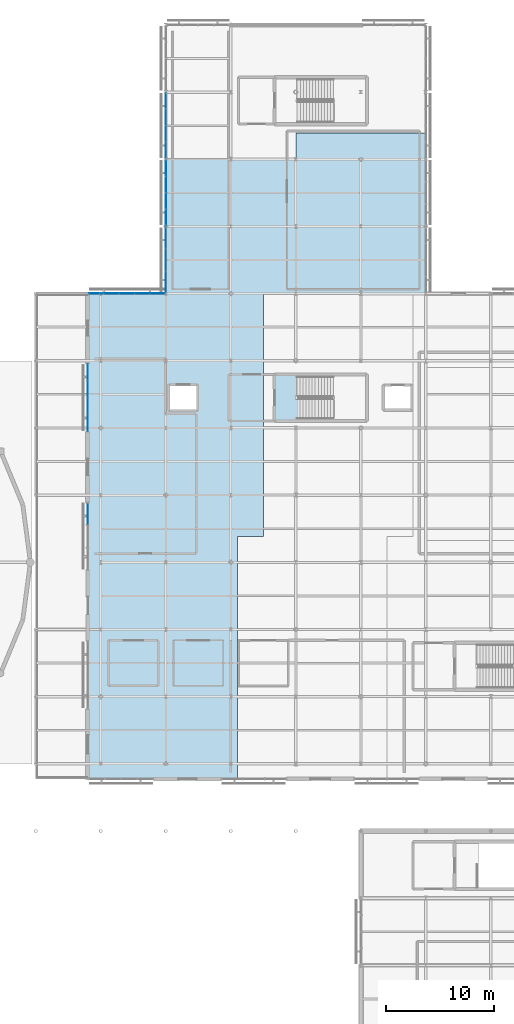
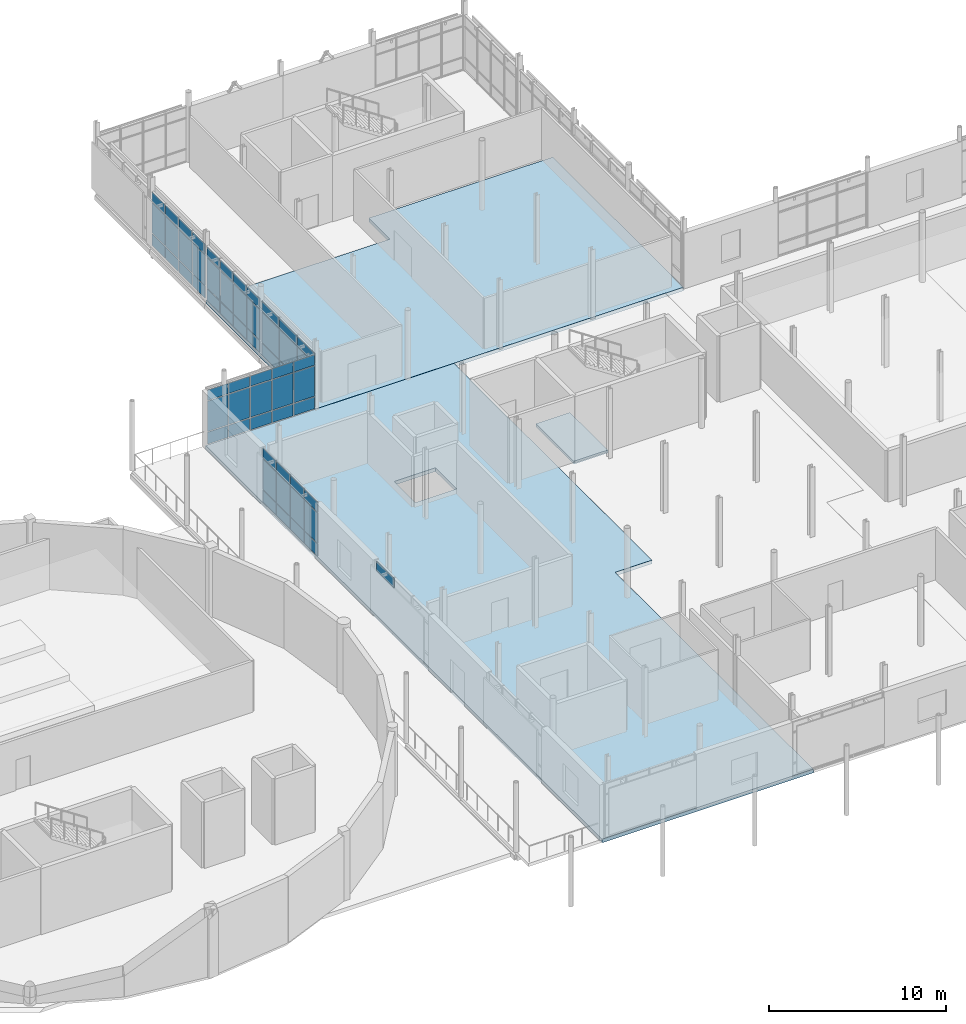
# One storey, part 52 of 84: 61 plates, 3 slabs, 6 elements without a shape of their own.
"""IFC4 building model written with IfcOpenShell, lengths in metres."""

from ifc_helpers import new_model, si_unit, direction, frame, origin, origin_2d, place, context, subcontext, project, spatial, polyline, rectangle, outline, extrude, material, layer, layer_set, type_object, element, aggregate, save


model = new_model("IFC4")

# Units and contexts
model_context = context("Model", 3, precision=1e-05, world=origin(), true_north=direction((0.0, 1.0)))
body_context = subcontext(model_context, "Body", "Model", "MODEL_VIEW")
ifc_project = project(units=[si_unit("LENGTHUNIT", "METRE"), si_unit("AREAUNIT", "SQUARE_METRE"), si_unit("VOLUMEUNIT", "CUBIC_METRE"), si_unit("PLANEANGLEUNIT", "RADIAN"), si_unit("MASSUNIT", "GRAM", prefix="KILO")], contexts=[model_context])

# Site, building, storey
site_placement = place(None, origin())
site = spatial("IfcSite", under=ifc_project, at=site_placement, CompositionType="ELEMENT")
building_placement = place(site_placement, origin())
building = spatial("IfcBuilding", under=site, at=building_placement, Name="Mirzam Square Science Centre", CompositionType="ELEMENT")
storey_placement = place(building_placement, frame((0.0, 0.0, 10.800048828125)))
storey = spatial("IfcBuildingStorey", under=building, at=storey_placement, Name="L02", CompositionType="ELEMENT", Elevation=10.800048828125)

# Curtain wall, plates
ifc_material_1 = material(Name="Anodised Aluminium and Low-E Solar Glass", Category="aluminium")
ifc_layer_1 = layer(ifc_material_1, 0.159912109375)
ifc_layer_set_1 = layer_set([ifc_layer_1], Name="CW-COURT-B")
curtain_wall_type_1 = type_object("IfcCurtainWallType", Name="CW-COURT-B", PredefinedType="USERDEFINED", material=ifc_layer_set_1)
curtain_wall_1_placement = place(storey_placement, origin())
curtain_wall_1 = element("IfcCurtainWall", 1, at=curtain_wall_1_placement, inside=storey, type_object=curtain_wall_type_1, Name="L02 unitised curtain wall 109", ObjectType="UNITISED CURTAIN WALL", PredefinedType="USERDEFINED")
ifc_material_2 = material(Name="Ceramic-Fritted Courtyard Solar Glass", Category="glass")
ifc_layer_2 = layer(ifc_material_2, 0.02392578125)
ifc_layer_set_2 = layer_set([ifc_layer_2], Name="CWP-GLZ-24")
plate_type_1 = type_object("IfcPlateType", Name="CWP-GLZ-24", PredefinedType="CURTAIN_PANEL", material=ifc_layer_set_2)
plate_1_placement = place(storey_placement, frame((113.220947265625, 86.800048828125, 0.059814453125), z_axis=(0.0, 0.0, 1.0), x_axis=(-1.0, 0.0, 0.0)))
plate_1 = element("IfcPlate", 2, at=plate_1_placement, type_object=plate_type_1, Name="CW-04 panel 1.1", PredefinedType="CURTAIN_PANEL", context=body_context, shape_type="SweptSolid", body=[
    extrude(rectangle(XDim=1.327880859375, YDim=0.02392578125, at=origin_2d()), origin(), (0.0, 0.0, 1.0), 0.81005859375),
])
plate_2_placement = place(storey_placement, frame((113.220947265625, 86.800048828125, 0.929931640625), z_axis=(0.0, 0.0, 1.0), x_axis=(-1.0, 0.0, 0.0)))
plate_2 = element("IfcPlate", 3, at=plate_2_placement, type_object=plate_type_1, Name="CW-04 panel 1.2", PredefinedType="CURTAIN_PANEL", context=body_context, shape_type="SweptSolid", body=[
    extrude(rectangle(XDim=1.327880859375, YDim=0.02392578125, at=origin_2d()), origin(), (0.0, 0.0, 1.0), 2.080078125),
])
plate_3_placement = place(storey_placement, frame((113.220947265625, 86.800048828125, 3.070068359375), z_axis=(0.0, 0.0, 1.0), x_axis=(-1.0, 0.0, 0.0)))
plate_3 = element("IfcPlate", 4, at=plate_3_placement, type_object=plate_type_1, Name="CW-04 panel 1.3", PredefinedType="CURTAIN_PANEL", context=body_context, shape_type="SweptSolid", body=[
    extrude(rectangle(XDim=1.327880859375, YDim=0.02392578125, at=origin_2d()), origin(), (0.0, 0.0, 1.0), 0.7099609375),
])
plate_4_placement = place(storey_placement, frame((111.818115234375, 86.800048828125, 0.059814453125), z_axis=(0.0, 0.0, 1.0), x_axis=(-1.0, 0.0, 0.0)))
plate_4 = element("IfcPlate", 5, at=plate_4_placement, type_object=plate_type_1, Name="CW-04 panel 2.1", PredefinedType="CURTAIN_PANEL", context=body_context, shape_type="SweptSolid", body=[
    extrude(rectangle(XDim=1.35791015625, YDim=0.02392578125, at=origin_2d()), origin(), (0.0, 0.0, 1.0), 0.81005859375),
])
plate_5_placement = place(storey_placement, frame((111.818115234375, 86.800048828125, 0.929931640625), z_axis=(0.0, 0.0, 1.0), x_axis=(-1.0, 0.0, 0.0)))
plate_5 = element("IfcPlate", 6, at=plate_5_placement, type_object=plate_type_1, Name="CW-04 panel 2.2", PredefinedType="CURTAIN_PANEL", context=body_context, shape_type="SweptSolid", body=[
    extrude(rectangle(XDim=1.35791015625, YDim=0.02392578125, at=origin_2d()), origin(), (0.0, 0.0, 1.0), 2.080078125),
])
plate_6_placement = place(storey_placement, frame((111.818115234375, 86.800048828125, 3.070068359375), z_axis=(0.0, 0.0, 1.0), x_axis=(-1.0, 0.0, 0.0)))
plate_6 = element("IfcPlate", 7, at=plate_6_placement, type_object=plate_type_1, Name="CW-04 panel 2.3", PredefinedType="CURTAIN_PANEL", context=body_context, shape_type="SweptSolid", body=[
    extrude(rectangle(XDim=1.35791015625, YDim=0.02392578125, at=origin_2d()), origin(), (0.0, 0.0, 1.0), 0.7099609375),
])
plate_7_placement = place(storey_placement, frame((110.39990234375, 86.800048828125, 0.059814453125), z_axis=(0.0, 0.0, 1.0), x_axis=(-1.0, 0.0, 0.0)))
plate_7 = element("IfcPlate", 8, at=plate_7_placement, type_object=plate_type_1, Name="CW-04 panel 3.1", PredefinedType="CURTAIN_PANEL", context=body_context, shape_type="SweptSolid", body=[
    extrude(rectangle(XDim=1.35791015625, YDim=0.02392578125, at=origin_2d()), origin(), (0.0, 0.0, 1.0), 0.81005859375),
])
plate_8_placement = place(storey_placement, frame((110.39990234375, 86.800048828125, 0.929931640625), z_axis=(0.0, 0.0, 1.0), x_axis=(-1.0, 0.0, 0.0)))
plate_8 = element("IfcPlate", 9, at=plate_8_placement, type_object=plate_type_1, Name="CW-04 panel 3.2", PredefinedType="CURTAIN_PANEL", context=body_context, shape_type="SweptSolid", body=[
    extrude(rectangle(XDim=1.35791015625, YDim=0.02392578125, at=origin_2d()), origin(), (0.0, 0.0, 1.0), 2.080078125),
])
plate_9_placement = place(storey_placement, frame((110.39990234375, 86.800048828125, 3.070068359375), z_axis=(0.0, 0.0, 1.0), x_axis=(-1.0, 0.0, 0.0)))
plate_9 = element("IfcPlate", 10, at=plate_9_placement, type_object=plate_type_1, Name="CW-04 panel 3.3", PredefinedType="CURTAIN_PANEL", context=body_context, shape_type="SweptSolid", body=[
    extrude(rectangle(XDim=1.35791015625, YDim=0.02392578125, at=origin_2d()), origin(), (0.0, 0.0, 1.0), 0.7099609375),
])
plate_10_placement = place(storey_placement, frame((108.98193359375, 86.800048828125, 0.059814453125), z_axis=(0.0, 0.0, 1.0), x_axis=(-1.0, 0.0, 0.0)))
plate_10 = element("IfcPlate", 11, at=plate_10_placement, type_object=plate_type_1, Name="CW-04 panel 4.1", PredefinedType="CURTAIN_PANEL", context=body_context, shape_type="SweptSolid", body=[
    extrude(rectangle(XDim=1.35791015625, YDim=0.02392578125, at=origin_2d()), origin(), (0.0, 0.0, 1.0), 0.81005859375),
])
plate_11_placement = place(storey_placement, frame((108.98193359375, 86.800048828125, 0.929931640625), z_axis=(0.0, 0.0, 1.0), x_axis=(-1.0, 0.0, 0.0)))
plate_11 = element("IfcPlate", 12, at=plate_11_placement, type_object=plate_type_1, Name="CW-04 panel 4.2", PredefinedType="CURTAIN_PANEL", context=body_context, shape_type="SweptSolid", body=[
    extrude(rectangle(XDim=1.35791015625, YDim=0.02392578125, at=origin_2d()), origin(), (0.0, 0.0, 1.0), 2.080078125),
])
plate_12_placement = place(storey_placement, frame((108.98193359375, 86.800048828125, 3.070068359375), z_axis=(0.0, 0.0, 1.0), x_axis=(-1.0, 0.0, 0.0)))
plate_12 = element("IfcPlate", 13, at=plate_12_placement, type_object=plate_type_1, Name="CW-04 panel 4.3", PredefinedType="CURTAIN_PANEL", context=body_context, shape_type="SweptSolid", body=[
    extrude(rectangle(XDim=1.35791015625, YDim=0.02392578125, at=origin_2d()), origin(), (0.0, 0.0, 1.0), 0.7099609375),
])
plate_13_placement = place(storey_placement, frame((107.5791015625, 86.800048828125, 0.059814453125), z_axis=(0.0, 0.0, 1.0), x_axis=(-1.0, 0.0, 0.0)))
plate_13 = element("IfcPlate", 14, at=plate_13_placement, type_object=plate_type_1, Name="CW-04 panel 5.1", PredefinedType="CURTAIN_PANEL", context=body_context, shape_type="SweptSolid", body=[
    extrude(rectangle(XDim=1.327880859375, YDim=0.02392578125, at=origin_2d()), origin(), (0.0, 0.0, 1.0), 0.81005859375),
])
plate_14_placement = place(storey_placement, frame((107.5791015625, 86.800048828125, 0.929931640625), z_axis=(0.0, 0.0, 1.0), x_axis=(-1.0, 0.0, 0.0)))
plate_14 = element("IfcPlate", 15, at=plate_14_placement, type_object=plate_type_1, Name="CW-04 panel 5.2", PredefinedType="CURTAIN_PANEL", context=body_context, shape_type="SweptSolid", body=[
    extrude(rectangle(XDim=1.327880859375, YDim=0.02392578125, at=origin_2d()), origin(), (0.0, 0.0, 1.0), 2.080078125),
])
plate_15_placement = place(storey_placement, frame((107.5791015625, 86.800048828125, 3.070068359375), z_axis=(0.0, 0.0, 1.0), x_axis=(-1.0, 0.0, 0.0)))
plate_15 = element("IfcPlate", 16, at=plate_15_placement, type_object=plate_type_1, Name="CW-04 panel 5.3", PredefinedType="CURTAIN_PANEL", context=body_context, shape_type="SweptSolid", body=[
    extrude(rectangle(XDim=1.327880859375, YDim=0.02392578125, at=origin_2d()), origin(), (0.0, 0.0, 1.0), 0.7099609375),
])
aggregate(curtain_wall_1, [plate_1, plate_2, plate_3, plate_4, plate_5, plate_6, plate_7, plate_8, plate_9, plate_10, plate_11, plate_12, plate_13, plate_14, plate_15])

curtain_wall_2_placement = place(storey_placement, origin())
curtain_wall_2 = element("IfcCurtainWall", 17, at=curtain_wall_2_placement, inside=storey, type_object=curtain_wall_type_1, Name="L02 unitised curtain wall 110", ObjectType="UNITISED CURTAIN WALL", PredefinedType="USERDEFINED")
plate_16_placement = place(storey_placement, frame((106.800048828125, 79.543701171875, 0.059814453125), z_axis=(0.0, 0.0, 1.0), x_axis=(0.0, -1.0, 0.0)))
plate_16 = element("IfcPlate", 18, at=plate_16_placement, type_object=plate_type_1, Name="CW-04 panel 1.1", PredefinedType="CURTAIN_PANEL", context=body_context, shape_type="SweptSolid", body=[
    extrude(rectangle(XDim=1.482421875, YDim=0.02392578125, at=origin_2d()), origin(), (0.0, 0.0, 1.0), 0.81005859375),
])
plate_17_placement = place(storey_placement, frame((106.800048828125, 79.543701171875, 0.929931640625), z_axis=(0.0, 0.0, 1.0), x_axis=(0.0, -1.0, 0.0)))
plate_17 = element("IfcPlate", 19, at=plate_17_placement, type_object=plate_type_1, Name="CW-04 panel 1.2", PredefinedType="CURTAIN_PANEL", context=body_context, shape_type="SweptSolid", body=[
    extrude(rectangle(XDim=1.482421875, YDim=0.02392578125, at=origin_2d()), origin(), (0.0, 0.0, 1.0), 2.080078125),
])
plate_18_placement = place(storey_placement, frame((106.800048828125, 79.543701171875, 3.070068359375), z_axis=(0.0, 0.0, 1.0), x_axis=(0.0, -1.0, 0.0)))
plate_18 = element("IfcPlate", 20, at=plate_18_placement, type_object=plate_type_1, Name="CW-04 panel 1.3", PredefinedType="CURTAIN_PANEL", context=body_context, shape_type="SweptSolid", body=[
    extrude(rectangle(XDim=1.482421875, YDim=0.02392578125, at=origin_2d()), origin(), (0.0, 0.0, 1.0), 0.7099609375),
])
plate_19_placement = place(storey_placement, frame((106.800048828125, 77.986328125, 0.059814453125), z_axis=(0.0, 0.0, 1.0), x_axis=(0.0, -1.0, 0.0)))
plate_19 = element("IfcPlate", 21, at=plate_19_placement, type_object=plate_type_1, Name="CW-04 panel 2.1", PredefinedType="CURTAIN_PANEL", context=body_context, shape_type="SweptSolid", body=[
    extrude(rectangle(XDim=1.512451171875, YDim=0.02392578125, at=origin_2d()), origin(), (0.0, 0.0, 1.0), 0.81005859375),
])
plate_20_placement = place(storey_placement, frame((106.800048828125, 77.986328125, 0.929931640625), z_axis=(0.0, 0.0, 1.0), x_axis=(0.0, -1.0, 0.0)))
plate_20 = element("IfcPlate", 22, at=plate_20_placement, type_object=plate_type_1, Name="CW-04 panel 2.2", PredefinedType="CURTAIN_PANEL", context=body_context, shape_type="SweptSolid", body=[
    extrude(rectangle(XDim=1.512451171875, YDim=0.02392578125, at=origin_2d()), origin(), (0.0, 0.0, 1.0), 2.080078125),
])
plate_21_placement = place(storey_placement, frame((106.800048828125, 77.986328125, 3.070068359375), z_axis=(0.0, 0.0, 1.0), x_axis=(0.0, -1.0, 0.0)))
plate_21 = element("IfcPlate", 23, at=plate_21_placement, type_object=plate_type_1, Name="CW-04 panel 2.3", PredefinedType="CURTAIN_PANEL", context=body_context, shape_type="SweptSolid", body=[
    extrude(rectangle(XDim=1.512451171875, YDim=0.02392578125, at=origin_2d()), origin(), (0.0, 0.0, 1.0), 0.7099609375),
])
plate_22_placement = place(storey_placement, frame((106.800048828125, 76.413818359375, 0.059814453125), z_axis=(0.0, 0.0, 1.0), x_axis=(0.0, -1.0, 0.0)))
plate_22 = element("IfcPlate", 24, at=plate_22_placement, type_object=plate_type_1, Name="CW-04 panel 3.1", PredefinedType="CURTAIN_PANEL", context=body_context, shape_type="SweptSolid", body=[
    extrude(rectangle(XDim=1.512451171875, YDim=0.02392578125, at=origin_2d()), origin(), (0.0, 0.0, 1.0), 0.81005859375),
])
plate_23_placement = place(storey_placement, frame((106.800048828125, 76.413818359375, 0.929931640625), z_axis=(0.0, 0.0, 1.0), x_axis=(0.0, -1.0, 0.0)))
plate_23 = element("IfcPlate", 25, at=plate_23_placement, type_object=plate_type_1, Name="CW-04 panel 3.2", PredefinedType="CURTAIN_PANEL", context=body_context, shape_type="SweptSolid", body=[
    extrude(rectangle(XDim=1.512451171875, YDim=0.02392578125, at=origin_2d()), origin(), (0.0, 0.0, 1.0), 2.080078125),
])
plate_24_placement = place(storey_placement, frame((106.800048828125, 76.413818359375, 3.070068359375), z_axis=(0.0, 0.0, 1.0), x_axis=(0.0, -1.0, 0.0)))
plate_24 = element("IfcPlate", 26, at=plate_24_placement, type_object=plate_type_1, Name="CW-04 panel 3.3", PredefinedType="CURTAIN_PANEL", context=body_context, shape_type="SweptSolid", body=[
    extrude(rectangle(XDim=1.512451171875, YDim=0.02392578125, at=origin_2d()), origin(), (0.0, 0.0, 1.0), 0.7099609375),
])
plate_25_placement = place(storey_placement, frame((106.800048828125, 74.856201171875, 0.059814453125), z_axis=(0.0, 0.0, 1.0), x_axis=(0.0, -1.0, 0.0)))
plate_25 = element("IfcPlate", 27, at=plate_25_placement, type_object=plate_type_1, Name="CW-04 panel 4.1", PredefinedType="CURTAIN_PANEL", context=body_context, shape_type="SweptSolid", body=[
    extrude(rectangle(XDim=1.482421875, YDim=0.02392578125, at=origin_2d()), origin(), (0.0, 0.0, 1.0), 0.81005859375),
])
plate_26_placement = place(storey_placement, frame((106.800048828125, 74.856201171875, 0.929931640625), z_axis=(0.0, 0.0, 1.0), x_axis=(0.0, -1.0, 0.0)))
plate_26 = element("IfcPlate", 28, at=plate_26_placement, type_object=plate_type_1, Name="CW-04 panel 4.2", PredefinedType="CURTAIN_PANEL", context=body_context, shape_type="SweptSolid", body=[
    extrude(rectangle(XDim=1.482421875, YDim=0.02392578125, at=origin_2d()), origin(), (0.0, 0.0, 1.0), 2.080078125),
])
plate_27_placement = place(storey_placement, frame((106.800048828125, 74.856201171875, 3.070068359375), z_axis=(0.0, 0.0, 1.0), x_axis=(0.0, -1.0, 0.0)))
plate_27 = element("IfcPlate", 29, at=plate_27_placement, type_object=plate_type_1, Name="CW-04 panel 4.3", PredefinedType="CURTAIN_PANEL", context=body_context, shape_type="SweptSolid", body=[
    extrude(rectangle(XDim=1.482421875, YDim=0.02392578125, at=origin_2d()), origin(), (0.0, 0.0, 1.0), 0.7099609375),
])
aggregate(curtain_wall_2, [plate_16, plate_17, plate_18, plate_19, plate_20, plate_21, plate_22, plate_23, plate_24, plate_25, plate_26, plate_27])

curtain_wall_3_placement = place(storey_placement, origin())
curtain_wall_3 = element("IfcCurtainWall", 30, at=curtain_wall_3_placement, inside=storey, type_object=curtain_wall_type_1, Name="L02 unitised curtain wall 119", ObjectType="UNITISED CURTAIN WALL", PredefinedType="USERDEFINED")
plate_28_placement = place(storey_placement, frame((114.0, 104.56884765625, 0.059814453125), z_axis=(0.0, 0.0, 1.0), x_axis=(0.0, -1.0, 0.0)))
plate_28 = element("IfcPlate", 31, at=plate_28_placement, type_object=plate_type_1, Name="CW-04 panel 1.1", PredefinedType="CURTAIN_PANEL", context=body_context, shape_type="SweptSolid", body=[
    extrude(rectangle(XDim=1.4326171875, YDim=0.02392578125, at=origin_2d()), origin(), (0.0, 0.0, 1.0), 0.81005859375),
])
plate_29_placement = place(storey_placement, frame((114.0, 104.56884765625, 0.929931640625), z_axis=(0.0, 0.0, 1.0), x_axis=(0.0, -1.0, 0.0)))
plate_29 = element("IfcPlate", 32, at=plate_29_placement, type_object=plate_type_1, Name="CW-04 panel 1.2", PredefinedType="CURTAIN_PANEL", context=body_context, shape_type="SweptSolid", body=[
    extrude(rectangle(XDim=1.4326171875, YDim=0.02392578125, at=origin_2d()), origin(), (0.0, 0.0, 1.0), 2.080078125),
])
plate_30_placement = place(storey_placement, frame((114.0, 104.56884765625, 3.070068359375), z_axis=(0.0, 0.0, 1.0), x_axis=(0.0, -1.0, 0.0)))
plate_30 = element("IfcPlate", 33, at=plate_30_placement, type_object=plate_type_1, Name="CW-04 panel 1.3", PredefinedType="CURTAIN_PANEL", context=body_context, shape_type="SweptSolid", body=[
    extrude(rectangle(XDim=1.4326171875, YDim=0.02392578125, at=origin_2d()), origin(), (0.0, 0.0, 1.0), 0.7099609375),
])
plate_31_placement = place(storey_placement, frame((114.0, 103.061279296875, 0.059814453125), z_axis=(0.0, 0.0, 1.0), x_axis=(0.0, -1.0, 0.0)))
plate_31 = element("IfcPlate", 34, at=plate_31_placement, type_object=plate_type_1, Name="CW-04 panel 2.1", PredefinedType="CURTAIN_PANEL", context=body_context, shape_type="SweptSolid", body=[
    extrude(rectangle(XDim=1.46240234375, YDim=0.02392578125, at=origin_2d()), origin(), (0.0, 0.0, 1.0), 0.81005859375),
])
plate_32_placement = place(storey_placement, frame((114.0, 103.061279296875, 0.929931640625), z_axis=(0.0, 0.0, 1.0), x_axis=(0.0, -1.0, 0.0)))
plate_32 = element("IfcPlate", 35, at=plate_32_placement, type_object=plate_type_1, Name="CW-04 panel 2.2", PredefinedType="CURTAIN_PANEL", context=body_context, shape_type="SweptSolid", body=[
    extrude(rectangle(XDim=1.46240234375, YDim=0.02392578125, at=origin_2d()), origin(), (0.0, 0.0, 1.0), 2.080078125),
])
plate_33_placement = place(storey_placement, frame((114.0, 103.061279296875, 3.070068359375), z_axis=(0.0, 0.0, 1.0), x_axis=(0.0, -1.0, 0.0)))
plate_33 = element("IfcPlate", 36, at=plate_33_placement, type_object=plate_type_1, Name="CW-04 panel 2.3", PredefinedType="CURTAIN_PANEL", context=body_context, shape_type="SweptSolid", body=[
    extrude(rectangle(XDim=1.46240234375, YDim=0.02392578125, at=origin_2d()), origin(), (0.0, 0.0, 1.0), 0.7099609375),
])
plate_34_placement = place(storey_placement, frame((114.0, 101.538818359375, 0.059814453125), z_axis=(0.0, 0.0, 1.0), x_axis=(0.0, -1.0, 0.0)))
plate_34 = element("IfcPlate", 37, at=plate_34_placement, type_object=plate_type_1, Name="CW-04 panel 3.1", PredefinedType="CURTAIN_PANEL", context=body_context, shape_type="SweptSolid", body=[
    extrude(rectangle(XDim=1.46240234375, YDim=0.02392578125, at=origin_2d()), origin(), (0.0, 0.0, 1.0), 0.81005859375),
])
plate_35_placement = place(storey_placement, frame((114.0, 101.538818359375, 0.929931640625), z_axis=(0.0, 0.0, 1.0), x_axis=(0.0, -1.0, 0.0)))
plate_35 = element("IfcPlate", 38, at=plate_35_placement, type_object=plate_type_1, Name="CW-04 panel 3.2", PredefinedType="CURTAIN_PANEL", context=body_context, shape_type="SweptSolid", body=[
    extrude(rectangle(XDim=1.46240234375, YDim=0.02392578125, at=origin_2d()), origin(), (0.0, 0.0, 1.0), 2.080078125),
])
plate_36_placement = place(storey_placement, frame((114.0, 101.538818359375, 3.070068359375), z_axis=(0.0, 0.0, 1.0), x_axis=(0.0, -1.0, 0.0)))
plate_36 = element("IfcPlate", 39, at=plate_36_placement, type_object=plate_type_1, Name="CW-04 panel 3.3", PredefinedType="CURTAIN_PANEL", context=body_context, shape_type="SweptSolid", body=[
    extrude(rectangle(XDim=1.46240234375, YDim=0.02392578125, at=origin_2d()), origin(), (0.0, 0.0, 1.0), 0.7099609375),
])
plate_37_placement = place(storey_placement, frame((114.0, 100.03125, 0.059814453125), z_axis=(0.0, 0.0, 1.0), x_axis=(0.0, -1.0, 0.0)))
plate_37 = element("IfcPlate", 40, at=plate_37_placement, type_object=plate_type_1, Name="CW-04 panel 4.1", PredefinedType="CURTAIN_PANEL", context=body_context, shape_type="SweptSolid", body=[
    extrude(rectangle(XDim=1.4326171875, YDim=0.02392578125, at=origin_2d()), origin(), (0.0, 0.0, 1.0), 0.81005859375),
])
plate_38_placement = place(storey_placement, frame((114.0, 100.03125, 0.929931640625), z_axis=(0.0, 0.0, 1.0), x_axis=(0.0, -1.0, 0.0)))
plate_38 = element("IfcPlate", 41, at=plate_38_placement, type_object=plate_type_1, Name="CW-04 panel 4.2", PredefinedType="CURTAIN_PANEL", context=body_context, shape_type="SweptSolid", body=[
    extrude(rectangle(XDim=1.4326171875, YDim=0.02392578125, at=origin_2d()), origin(), (0.0, 0.0, 1.0), 2.080078125),
])
plate_39_placement = place(storey_placement, frame((114.0, 100.03125, 3.070068359375), z_axis=(0.0, 0.0, 1.0), x_axis=(0.0, -1.0, 0.0)))
plate_39 = element("IfcPlate", 42, at=plate_39_placement, type_object=plate_type_1, Name="CW-04 panel 4.3", PredefinedType="CURTAIN_PANEL", context=body_context, shape_type="SweptSolid", body=[
    extrude(rectangle(XDim=1.4326171875, YDim=0.02392578125, at=origin_2d()), origin(), (0.0, 0.0, 1.0), 0.7099609375),
])
aggregate(curtain_wall_3, [plate_28, plate_29, plate_30, plate_31, plate_32, plate_33, plate_34, plate_35, plate_36, plate_37, plate_38, plate_39])

# Curtain wall, plate
ifc_layer_3 = layer(ifc_material_1, 0.239990234375)
ifc_layer_set_3 = layer_set([ifc_layer_3], Name="CW-EAST-B")
curtain_wall_type_2 = type_object("IfcCurtainWallType", Name="CW-EAST-B", PredefinedType="USERDEFINED", material=ifc_layer_set_3)
curtain_wall_4_placement = place(storey_placement, origin())
curtain_wall_4 = element("IfcCurtainWall", 43, at=curtain_wall_4_placement, inside=storey, type_object=curtain_wall_type_2, Name="L02 unitised curtain wall 111", ObjectType="UNITISED CURTAIN WALL", PredefinedType="USERDEFINED")
ifc_material_3 = material(Name="Double-Silver Low-E Insulated Solar Glass", Category="glass")
ifc_layer_4 = layer(ifc_material_3, 0.028076171875)
ifc_layer_set_4 = layer_set([ifc_layer_4], Name="CWP-GLZ-28")
plate_type_2 = type_object("IfcPlateType", Name="CWP-GLZ-28", PredefinedType="CURTAIN_PANEL", material=ifc_layer_set_4)
plate_40_placement = place(storey_placement, frame((106.800048828125, 66.47802734375, 3.077392578125), z_axis=(0.0, 0.0, 1.0), x_axis=(0.0, -1.0, 0.0)))
plate_40 = element("IfcPlate", 44, at=plate_40_placement, type_object=plate_type_2, Name="CW-06 panel 1.3", PredefinedType="CURTAIN_PANEL", context=body_context, shape_type="SweptSolid", body=[
    extrude(rectangle(XDim=1.984130859375, YDim=0.028076171875, at=origin_2d()), origin(), (0.0, 0.0, 1.0), 0.6875),
])
aggregate(curtain_wall_4, [plate_40])

# Curtain wall, plates
ifc_layer_5 = layer(ifc_material_1, 0.199951171875)
ifc_layer_set_5 = layer_set([ifc_layer_5], Name="CW-PARK-B")
curtain_wall_type_3 = type_object("IfcCurtainWallType", Name="CW-PARK-B", PredefinedType="USERDEFINED", material=ifc_layer_set_5)
curtain_wall_5_placement = place(storey_placement, origin())
curtain_wall_5 = element("IfcCurtainWall", 45, at=curtain_wall_5_placement, inside=storey, type_object=curtain_wall_type_3, Name="L02 unitised curtain wall 115", ObjectType="UNITISED CURTAIN WALL", PredefinedType="USERDEFINED")
ifc_material_4 = material(Name="Triple-Glazed Acoustic Low-E Solar Glass", Category="glass")
ifc_layer_6 = layer(ifc_material_4, 0.031982421875)
ifc_layer_set_6 = layer_set([ifc_layer_6], Name="CWP-GLZ-32")
plate_type_3 = type_object("IfcPlateType", Name="CWP-GLZ-32", PredefinedType="CURTAIN_PANEL", material=ifc_layer_set_6)
plate_41_placement = place(storey_placement, frame((114.0, 91.913818359375, 0.06494140625), z_axis=(0.0, 0.0, 1.0), x_axis=(0.0, -1.0, 0.0)))
plate_41 = element("IfcPlate", 46, at=plate_41_placement, type_object=plate_type_3, Name="CW-02 panel 1.1", PredefinedType="CURTAIN_PANEL", context=body_context, shape_type="SweptSolid", body=[
    extrude(rectangle(XDim=1.9326171875, YDim=0.031982421875, at=origin_2d()), origin(), (0.0, 0.0, 1.0), 0.802490234375),
])
plate_42_placement = place(storey_placement, frame((114.0, 91.913818359375, 0.9326171875), z_axis=(0.0, 0.0, 1.0), x_axis=(0.0, -1.0, 0.0)))
plate_42 = element("IfcPlate", 47, at=plate_42_placement, type_object=plate_type_3, Name="CW-02 panel 1.2", PredefinedType="CURTAIN_PANEL", context=body_context, shape_type="SweptSolid", body=[
    extrude(rectangle(XDim=1.9326171875, YDim=0.031982421875, at=origin_2d()), origin(), (0.0, 0.0, 1.0), 2.074951171875),
])
plate_43_placement = place(storey_placement, frame((114.0, 91.913818359375, 3.072265625), z_axis=(0.0, 0.0, 1.0), x_axis=(0.0, -1.0, 0.0)))
plate_43 = element("IfcPlate", 48, at=plate_43_placement, type_object=plate_type_3, Name="CW-02 panel 1.3", PredefinedType="CURTAIN_PANEL", context=body_context, shape_type="SweptSolid", body=[
    extrude(rectangle(XDim=1.9326171875, YDim=0.031982421875, at=origin_2d()), origin(), (0.0, 0.0, 1.0), 0.702392578125),
])
plate_44_placement = place(storey_placement, frame((114.0, 89.89990234375, 0.06494140625), z_axis=(0.0, 0.0, 1.0), x_axis=(0.0, -1.0, 0.0)))
plate_44 = element("IfcPlate", 49, at=plate_44_placement, type_object=plate_type_3, Name="CW-02 panel 2.1", PredefinedType="CURTAIN_PANEL", context=body_context, shape_type="SweptSolid", body=[
    extrude(rectangle(XDim=1.965087890625, YDim=0.031982421875, at=origin_2d()), origin(), (0.0, 0.0, 1.0), 0.802490234375),
])
plate_45_placement = place(storey_placement, frame((114.0, 89.89990234375, 0.9326171875), z_axis=(0.0, 0.0, 1.0), x_axis=(0.0, -1.0, 0.0)))
plate_45 = element("IfcPlate", 50, at=plate_45_placement, type_object=plate_type_3, Name="CW-02 panel 2.2", PredefinedType="CURTAIN_PANEL", context=body_context, shape_type="SweptSolid", body=[
    extrude(rectangle(XDim=1.965087890625, YDim=0.031982421875, at=origin_2d()), origin(), (0.0, 0.0, 1.0), 2.074951171875),
])
plate_46_placement = place(storey_placement, frame((114.0, 89.89990234375, 3.072265625), z_axis=(0.0, 0.0, 1.0), x_axis=(0.0, -1.0, 0.0)))
plate_46 = element("IfcPlate", 51, at=plate_46_placement, type_object=plate_type_3, Name="CW-02 panel 2.3", PredefinedType="CURTAIN_PANEL", context=body_context, shape_type="SweptSolid", body=[
    extrude(rectangle(XDim=1.965087890625, YDim=0.031982421875, at=origin_2d()), origin(), (0.0, 0.0, 1.0), 0.702392578125),
])
plate_47_placement = place(storey_placement, frame((114.0, 87.88623046875, 0.06494140625), z_axis=(0.0, 0.0, 1.0), x_axis=(0.0, -1.0, 0.0)))
plate_47 = element("IfcPlate", 52, at=plate_47_placement, type_object=plate_type_3, Name="CW-02 panel 3.1", PredefinedType="CURTAIN_PANEL", context=body_context, shape_type="SweptSolid", body=[
    extrude(rectangle(XDim=1.9326171875, YDim=0.031982421875, at=origin_2d()), origin(), (0.0, 0.0, 1.0), 0.802490234375),
])
plate_48_placement = place(storey_placement, frame((114.0, 87.88623046875, 0.9326171875), z_axis=(0.0, 0.0, 1.0), x_axis=(0.0, -1.0, 0.0)))
plate_48 = element("IfcPlate", 53, at=plate_48_placement, type_object=plate_type_3, Name="CW-02 panel 3.2", PredefinedType="CURTAIN_PANEL", context=body_context, shape_type="SweptSolid", body=[
    extrude(rectangle(XDim=1.9326171875, YDim=0.031982421875, at=origin_2d()), origin(), (0.0, 0.0, 1.0), 2.074951171875),
])
plate_49_placement = place(storey_placement, frame((114.0, 87.88623046875, 3.072265625), z_axis=(0.0, 0.0, 1.0), x_axis=(0.0, -1.0, 0.0)))
plate_49 = element("IfcPlate", 54, at=plate_49_placement, type_object=plate_type_3, Name="CW-02 panel 3.3", PredefinedType="CURTAIN_PANEL", context=body_context, shape_type="SweptSolid", body=[
    extrude(rectangle(XDim=1.9326171875, YDim=0.031982421875, at=origin_2d()), origin(), (0.0, 0.0, 1.0), 0.702392578125),
])
aggregate(curtain_wall_5, [plate_41, plate_42, plate_43, plate_44, plate_45, plate_46, plate_47, plate_48, plate_49])

ifc_layer_7 = layer(ifc_material_1, 0.159912109375)
ifc_layer_set_7 = layer_set([ifc_layer_7], Name="CW-COURT-A")
curtain_wall_type_4 = type_object("IfcCurtainWallType", Name="CW-COURT-A", PredefinedType="USERDEFINED", material=ifc_layer_set_7)
curtain_wall_6_placement = place(storey_placement, origin())
curtain_wall_6 = element("IfcCurtainWall", 55, at=curtain_wall_6_placement, inside=storey, type_object=curtain_wall_type_4, Name="L02 unitised curtain wall 117", ObjectType="UNITISED CURTAIN WALL", PredefinedType="USERDEFINED")
ifc_material_5 = material(Name="Laminated Low-Iron Observatory Solar Glass", Category="glass")
ifc_layer_8 = layer(ifc_material_5, 0.035888671875)
ifc_layer_set_8 = layer_set([ifc_layer_8], Name="CWP-GLZ-36")
plate_type_4 = type_object("IfcPlateType", Name="CWP-GLZ-36", PredefinedType="CURTAIN_PANEL", material=ifc_layer_set_8)
plate_50_placement = place(storey_placement, frame((114.0, 98.364990234375, 0.074951171875), z_axis=(0.0, 0.0, 1.0), x_axis=(0.0, -1.0, 0.0)))
plate_50 = element("IfcPlate", 56, at=plate_50_placement, type_object=plate_type_4, Name="CW-03 panel 1.1", PredefinedType="CURTAIN_PANEL", context=body_context, shape_type="SweptSolid", body=[
    extrude(rectangle(XDim=1.409912109375, YDim=0.035888671875, at=origin_2d()), origin(), (0.0, 0.0, 1.0), 0.78759765625),
])
plate_51_placement = place(storey_placement, frame((114.0, 98.364990234375, 0.9375), z_axis=(0.0, 0.0, 1.0), x_axis=(0.0, -1.0, 0.0)))
plate_51 = element("IfcPlate", 57, at=plate_51_placement, type_object=plate_type_4, Name="CW-03 panel 1.2", PredefinedType="CURTAIN_PANEL", context=body_context, shape_type="SweptSolid", body=[
    extrude(rectangle(XDim=1.409912109375, YDim=0.035888671875, at=origin_2d()), origin(), (0.0, 0.0, 1.0), 2.06494140625),
])
plate_52_placement = place(storey_placement, frame((114.0, 98.364990234375, 3.077392578125), z_axis=(0.0, 0.0, 1.0), x_axis=(0.0, -1.0, 0.0)))
plate_52 = element("IfcPlate", 58, at=plate_52_placement, type_object=plate_type_4, Name="CW-03 panel 1.3", PredefinedType="CURTAIN_PANEL", context=body_context, shape_type="SweptSolid", body=[
    extrude(rectangle(XDim=1.409912109375, YDim=0.035888671875, at=origin_2d()), origin(), (0.0, 0.0, 1.0), 0.6875),
])
plate_53_placement = place(storey_placement, frame((114.0, 96.861328125, 0.074951171875), z_axis=(0.0, 0.0, 1.0), x_axis=(0.0, -1.0, 0.0)))
plate_53 = element("IfcPlate", 59, at=plate_53_placement, type_object=plate_type_4, Name="CW-03 panel 2.1", PredefinedType="CURTAIN_PANEL", context=body_context, shape_type="SweptSolid", body=[
    extrude(rectangle(XDim=1.447509765625, YDim=0.035888671875, at=origin_2d()), origin(), (0.0, 0.0, 1.0), 0.78759765625),
])
plate_54_placement = place(storey_placement, frame((114.0, 96.861328125, 0.9375), z_axis=(0.0, 0.0, 1.0), x_axis=(0.0, -1.0, 0.0)))
plate_54 = element("IfcPlate", 60, at=plate_54_placement, type_object=plate_type_4, Name="CW-03 panel 2.2", PredefinedType="CURTAIN_PANEL", context=body_context, shape_type="SweptSolid", body=[
    extrude(rectangle(XDim=1.447509765625, YDim=0.035888671875, at=origin_2d()), origin(), (0.0, 0.0, 1.0), 2.06494140625),
])
plate_55_placement = place(storey_placement, frame((114.0, 96.861328125, 3.077392578125), z_axis=(0.0, 0.0, 1.0), x_axis=(0.0, -1.0, 0.0)))
plate_55 = element("IfcPlate", 61, at=plate_55_placement, type_object=plate_type_4, Name="CW-03 panel 2.3", PredefinedType="CURTAIN_PANEL", context=body_context, shape_type="SweptSolid", body=[
    extrude(rectangle(XDim=1.447509765625, YDim=0.035888671875, at=origin_2d()), origin(), (0.0, 0.0, 1.0), 0.6875),
])
plate_56_placement = place(storey_placement, frame((114.0, 95.3388671875, 0.074951171875), z_axis=(0.0, 0.0, 1.0), x_axis=(0.0, -1.0, 0.0)))
plate_56 = element("IfcPlate", 62, at=plate_56_placement, type_object=plate_type_4, Name="CW-03 panel 3.1", PredefinedType="CURTAIN_PANEL", context=body_context, shape_type="SweptSolid", body=[
    extrude(rectangle(XDim=1.447509765625, YDim=0.035888671875, at=origin_2d()), origin(), (0.0, 0.0, 1.0), 0.78759765625),
])
plate_57_placement = place(storey_placement, frame((114.0, 95.3388671875, 0.9375), z_axis=(0.0, 0.0, 1.0), x_axis=(0.0, -1.0, 0.0)))
plate_57 = element("IfcPlate", 63, at=plate_57_placement, type_object=plate_type_4, Name="CW-03 panel 3.2", PredefinedType="CURTAIN_PANEL", context=body_context, shape_type="SweptSolid", body=[
    extrude(rectangle(XDim=1.447509765625, YDim=0.035888671875, at=origin_2d()), origin(), (0.0, 0.0, 1.0), 2.06494140625),
])
plate_58_placement = place(storey_placement, frame((114.0, 95.3388671875, 3.077392578125), z_axis=(0.0, 0.0, 1.0), x_axis=(0.0, -1.0, 0.0)))
plate_58 = element("IfcPlate", 64, at=plate_58_placement, type_object=plate_type_4, Name="CW-03 panel 3.3", PredefinedType="CURTAIN_PANEL", context=body_context, shape_type="SweptSolid", body=[
    extrude(rectangle(XDim=1.447509765625, YDim=0.035888671875, at=origin_2d()), origin(), (0.0, 0.0, 1.0), 0.6875),
])
plate_59_placement = place(storey_placement, frame((114.0, 93.8349609375, 0.074951171875), z_axis=(0.0, 0.0, 1.0), x_axis=(0.0, -1.0, 0.0)))
plate_59 = element("IfcPlate", 65, at=plate_59_placement, type_object=plate_type_4, Name="CW-03 panel 4.1", PredefinedType="CURTAIN_PANEL", context=body_context, shape_type="SweptSolid", body=[
    extrude(rectangle(XDim=1.409912109375, YDim=0.035888671875, at=origin_2d()), origin(), (0.0, 0.0, 1.0), 0.78759765625),
])
plate_60_placement = place(storey_placement, frame((114.0, 93.8349609375, 0.9375), z_axis=(0.0, 0.0, 1.0), x_axis=(0.0, -1.0, 0.0)))
plate_60 = element("IfcPlate", 66, at=plate_60_placement, type_object=plate_type_4, Name="CW-03 panel 4.2", PredefinedType="CURTAIN_PANEL", context=body_context, shape_type="SweptSolid", body=[
    extrude(rectangle(XDim=1.409912109375, YDim=0.035888671875, at=origin_2d()), origin(), (0.0, 0.0, 1.0), 2.06494140625),
])
plate_61_placement = place(storey_placement, frame((114.0, 93.8349609375, 3.077392578125), z_axis=(0.0, 0.0, 1.0), x_axis=(0.0, -1.0, 0.0)))
plate_61 = element("IfcPlate", 67, at=plate_61_placement, type_object=plate_type_4, Name="CW-03 panel 4.3", PredefinedType="CURTAIN_PANEL", context=body_context, shape_type="SweptSolid", body=[
    extrude(rectangle(XDim=1.409912109375, YDim=0.035888671875, at=origin_2d()), origin(), (0.0, 0.0, 1.0), 0.6875),
])
aggregate(curtain_wall_6, [plate_50, plate_51, plate_52, plate_53, plate_54, plate_55, plate_56, plate_57, plate_58, plate_59, plate_60, plate_61])

# Slabs
ifc_material_6 = material(Name="Concrete C40/50", Category="concrete")
ifc_layer_9 = layer(ifc_material_6, 0.25)
ifc_layer_set_9 = layer_set([ifc_layer_9], Name="SL-LAB-250")
slab_type_1 = type_object("IfcSlabType", Name="SL-LAB-250", PredefinedType="FLOOR", material=ifc_layer_set_9)
slab_1_placement = place(storey_placement, frame((0.0, 0.0, -0.25)))
element("IfcSlab", 68, at=slab_1_placement, inside=storey, type_object=slab_type_1, Name="L02 east 1 slab", PredefinedType="FLOOR", context=body_context, shape_type="SweptSolid", body=[
    extrude(outline(polyline([(106.800048828125, 86.800048828125), (123.0, 86.800048828125), (123.0, 64.39990234375), (120.60009765625, 64.39990234375), (120.60009765625, 42.0), (106.800048828125, 42.0), (106.800048828125, 86.800048828125)]), holes=[polyline([(116.949951171875, 78.39990234375), (114.25, 78.39990234375), (114.25, 76.0), (116.949951171875, 76.0), (116.949951171875, 78.39990234375)])]), origin(), (0.0, 0.0, 1.0), 0.25),
])
slab_2_placement = place(storey_placement, frame((0.0, 0.0, -0.25)))
element("IfcSlab", 69, at=slab_2_placement, inside=storey, type_object=slab_type_1, Name="L02 ne obs base 1 slab", PredefinedType="FLOOR", context=body_context, shape_type="SweptSolid", body=[
    extrude(outline(polyline([(126.0, 99.199951171875), (126.0, 101.60009765625), (138.0, 101.60009765625), (138.0, 86.804931640625), (114.0, 86.804931640625), (114.0, 99.199951171875), (126.0, 99.199951171875)])), origin(), (0.0, 0.0, 1.0), 0.25),
])
ifc_layer_10 = layer(ifc_material_6, 0.199951171875)
ifc_layer_set_10 = layer_set([ifc_layer_10], Name="SL-LANDING-200")
slab_type_2 = type_object("IfcSlabType", Name="SL-LANDING-200", PredefinedType="LANDING", material=ifc_layer_set_10)
slab_3_placement = place(storey_placement, frame((0.0, 0.0, -0.199951171875)))
element("IfcSlab", 70, at=slab_3_placement, inside=storey, type_object=slab_type_2, Name="L02 CORE-4 floor landing", PredefinedType="LANDING", context=body_context, shape_type="SweptSolid", body=[
    extrude(outline(polyline([(126.260009765625, 75.044921875), (124.044921875, 75.044921875), (124.044921875, 79.324951171875), (126.260009765625, 79.324951171875), (126.260009765625, 75.044921875)])), origin(), (0.0, 0.0, 1.0), 0.199951171875),
])

save(model, "model.ifc")
